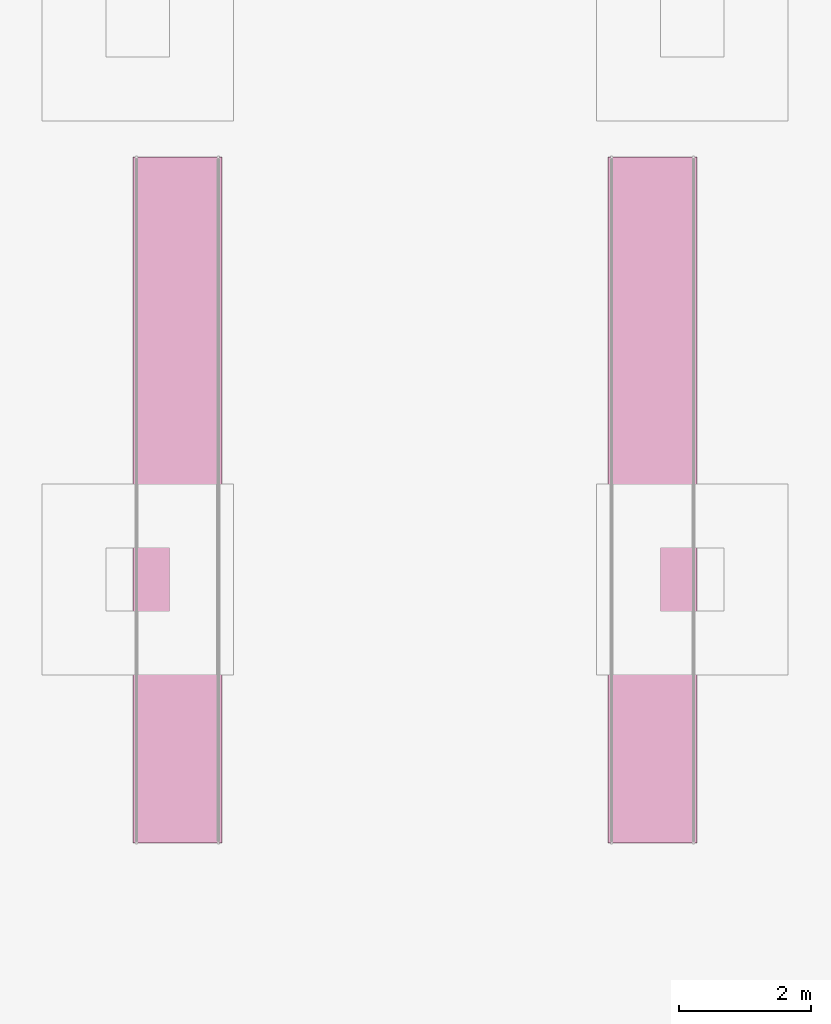
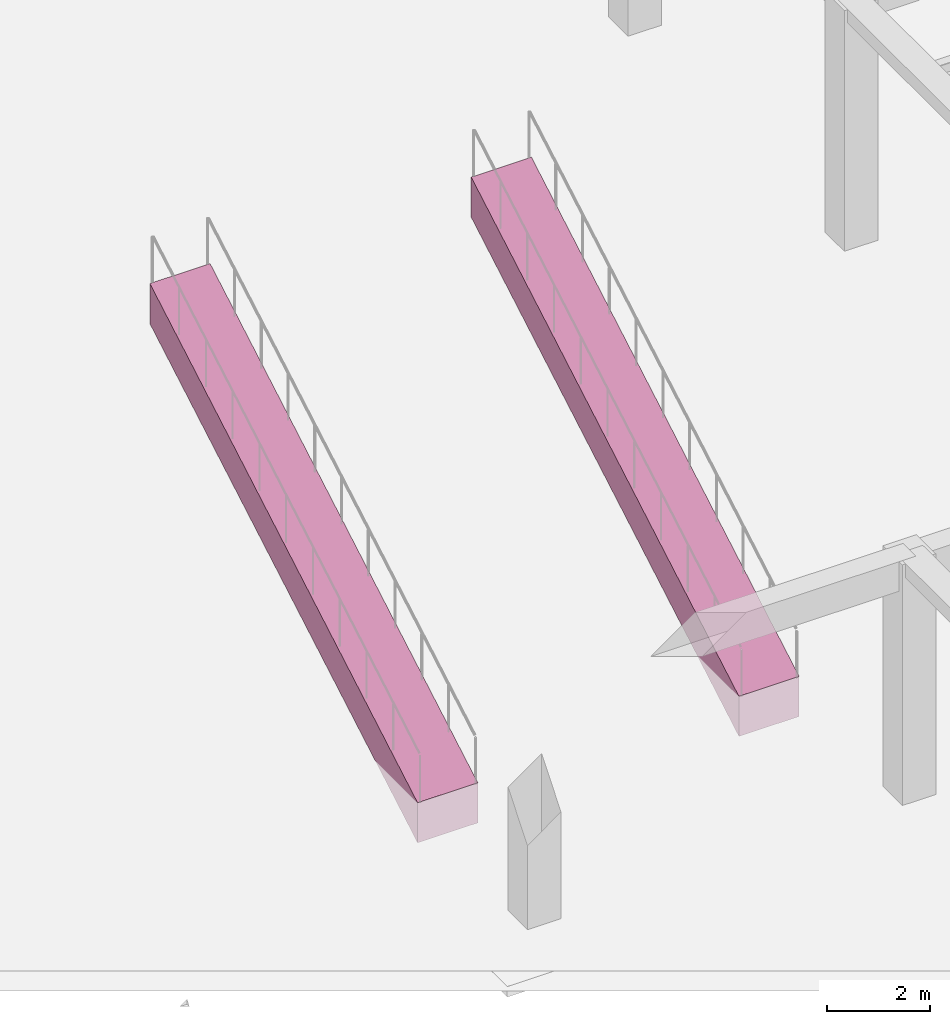
# One storey, part 43 of 43: 2 transport elements.
"""IFC4 building model written with IfcOpenShell, lengths in metres."""

import ifcopenshell
import ifcopenshell.guid

model = None  # the IFC model being written
_history = None  # IfcOwnerHistory: only IFC2X3 demands one
_inside = {}  # id of a spatial element -> (the spatial element, [elements in it])
_under = {}  # id of a project, library or spatial element -> (it, [spatial elements below it])
_declared = {}  # id of a project -> (the project, [libraries it declares])
_typed = {}  # id of a type object -> (the type object, [elements of that type])
_made_of = {}  # id of a material, layer set ... -> (it, [elements and type objects made of it])


def new_model(schema):
    """Start an empty IFC model of exactly this schema.

    Asked for "IFC4X3", IfcOpenShell would pick the latest addendum, in which some entities
    have other attributes; the version numbers below select the first issue.
    IFC2X3 requires an IfcOwnerHistory on every rooted entity: one is made here for all.
    """
    global model, _history
    if schema == "IFC4X3":
        model = ifcopenshell.file(schema_version=(4, 3, 0, 0))
    else:
        model = ifcopenshell.file(schema=schema)
    _inside.clear()
    _under.clear()
    _declared.clear()
    _typed.clear()
    _made_of.clear()
    _history = None
    if model.schema == "IFC2X3":
        org = make("IfcOrganization", Name="unknown")
        user = make(
            "IfcPersonAndOrganization",
            ThePerson=make("IfcPerson", FamilyName="unknown"),
            TheOrganization=org,
        )
        app = make(
            "IfcApplication",
            ApplicationDeveloper=org,
            Version="unknown",
            ApplicationFullName="unknown",
            ApplicationIdentifier="unknown",
        )
        _history = make(
            "IfcOwnerHistory",
            OwningUser=user,
            OwningApplication=app,
            ChangeAction="ADDED",
            CreationDate=0,
        )
    return model


def make(cls, **values):
    """One entity of the class cls with the attributes given. An attribute that is None is left unset."""
    return model.create_entity(
        cls, **{name: value for name, value in values.items() if value is not None}
    )


def rooted(cls, **values):
    """An entity with a GlobalId (a new one), such as an element, a storey or a relation."""
    return make(cls, GlobalId=ifcopenshell.guid.new(), OwnerHistory=_history, **values)


def si_unit(unit_type, name, prefix=None):
    """IfcSIUnit, for example si_unit("LENGTHUNIT", "METRE", prefix="MILLI")."""
    return make("IfcSIUnit", UnitType=unit_type, Prefix=prefix, Name=name)


def assignment(units):
    """IfcUnitAssignment: the units of a project."""
    return None if units is None else make("IfcUnitAssignment", Units=units)


def point(xyz):
    """IfcCartesianPoint."""
    return None if xyz is None else make("IfcCartesianPoint", Coordinates=xyz)


def direction(xyz):
    """IfcDirection."""
    return None if xyz is None else make("IfcDirection", DirectionRatios=xyz)


def frame(location, z_axis=None, x_axis=None):
    """IfcAxis2Placement3D, a coordinate frame: its origin and axes. An axis left out is left unset."""
    return make(
        "IfcAxis2Placement3D",
        Location=point(location),
        Axis=direction(z_axis),
        RefDirection=direction(x_axis),
    )


def origin():
    """The frame at (0, 0, 0) with its axes left unset."""
    return frame((0.0, 0.0, 0.0))


def place(relative_to, where):
    """IfcLocalPlacement: puts the frame where relative to a parent placement (None: the world)."""
    return make(
        "IfcLocalPlacement", PlacementRelTo=relative_to, RelativePlacement=where
    )


def context(
    kind, dimensions, precision=None, world=None, true_north=None, identifier=None
):
    """IfcGeometricRepresentationContext, for example the 3D "Model" context."""
    return make(
        "IfcGeometricRepresentationContext",
        ContextIdentifier=identifier,
        ContextType=kind,
        CoordinateSpaceDimension=dimensions,
        Precision=precision,
        WorldCoordinateSystem=world,
        TrueNorth=true_north,
    )


def subcontext(parent, identifier, kind, view, scale=None):
    """IfcGeometricRepresentationSubContext, for example "Body" below "Model"."""
    return make(
        "IfcGeometricRepresentationSubContext",
        ContextIdentifier=identifier,
        ContextType=kind,
        ParentContext=parent,
        TargetScale=scale,
        TargetView=view,
    )


def project(units=None, contexts=None):
    """IfcProject with its units and contexts."""
    return rooted(
        "IfcProject",
        Name="project",
        RepresentationContexts=contexts,
        UnitsInContext=assignment(units),
    )


def spatial(cls, under=None, at=None, **own):
    """A site, building, storey or space (cls), placed at a placement, below another one or the project."""
    s = rooted(cls, ObjectPlacement=at, **own)
    if under is not None:
        _under.setdefault(under.id(), (under, []))[1].append(s)
    return s


def polyline(points):
    """IfcPolyline through the points."""
    return make("IfcPolyline", Points=[point(p) for p in points])


def outline(outer, holes=None, kind="AREA"):
    """IfcArbitraryClosedProfileDef: a profile drawn as a closed curve; with holes, ...WithVoids."""
    if holes is None:
        return make("IfcArbitraryClosedProfileDef", ProfileType=kind, OuterCurve=outer)
    return make(
        "IfcArbitraryProfileDefWithVoids",
        ProfileType=kind,
        OuterCurve=outer,
        InnerCurves=holes,
    )


def extrude(swept, where, along, depth):
    """IfcExtrudedAreaSolid: the profile swept, set in the frame where, extruded along a direction by depth."""
    return make(
        "IfcExtrudedAreaSolid",
        SweptArea=swept,
        Position=where,
        ExtrudedDirection=direction(along),
        Depth=depth,
    )


def shape(context_of_items, identifier, shape_type, items):
    """IfcShapeRepresentation: the items that make up one representation, for example the "Body"."""
    return make(
        "IfcShapeRepresentation",
        ContextOfItems=context_of_items,
        RepresentationIdentifier=identifier,
        RepresentationType=shape_type,
        Items=items,
    )


def material(Name=None, Category=None):
    """IfcMaterial."""
    return make("IfcMaterial", Name=Name, Category=Category)


def made_of(thing, what):
    """Note that an element or type object is made of a material, layer set ...; save() writes the relation."""
    if what is not None:
        _made_of.setdefault(what.id(), (what, []))[1].append(thing)
    return thing


def type_object(cls, material=None, **own):
    """A type object (cls), such as IfcWallType, which elements share."""
    return made_of(rooted(cls, **own), material)


def element(
    cls,
    number,
    at=None,
    inside=None,
    cuts=None,
    type_object=None,
    material=None,
    context=None,
    identifier="Body",
    shape_type=None,
    held_by="IfcProductDefinitionShape",
    body=None,
    shapes=None,
    **own,
):
    """One element of the class cls, such as IfcWall. Its Tag is "e" and its number.

    at: its placement. inside: the storey or other place that contains it. cuts: it is an
    opening in that element (IfcRelVoidsElement). A single representation is given by context,
    identifier, shape_type and body (its items); several are given by shapes. held_by: the class
    of the entity that holds the representations. save() writes the other relations.
    """
    e = rooted(cls, Tag="e%d" % number, ObjectPlacement=at, **own)
    if body is not None:
        shapes = [shape(context, identifier, shape_type, body)]
    if shapes is not None:
        e.Representation = make(held_by, Representations=shapes)
    if inside is not None:
        _inside.setdefault(inside.id(), (inside, []))[1].append(e)
    if cuts is not None:
        rooted(
            "IfcRelVoidsElement", RelatingBuildingElement=cuts, RelatedOpeningElement=e
        )
    if type_object is not None:
        _typed.setdefault(type_object.id(), (type_object, []))[1].append(e)
    return made_of(e, material)


def aggregate(whole, parts):
    """IfcRelAggregates: a whole, such as a stair, and the parts it consists of."""
    return rooted("IfcRelAggregates", RelatingObject=whole, RelatedObjects=parts)


def save(model, path):
    """Write the relations noted so far, then the file.

    IfcRelAggregates (storeys below a building ...), IfcRelContainedInSpatialStructure (elements
    in a storey), IfcRelDefinesByType, IfcRelAssociatesMaterial and IfcRelDeclares: one each for
    every whole, place, type object, material and project.
    """
    for whole, parts in _under.values():
        aggregate(whole, parts)
    for where, things in _inside.values():
        rooted(
            "IfcRelContainedInSpatialStructure",
            RelatedElements=things,
            RelatingStructure=where,
        )
    for kind, things in _typed.values():
        rooted("IfcRelDefinesByType", RelatedObjects=things, RelatingType=kind)
    for what, things in _made_of.values():
        rooted("IfcRelAssociatesMaterial", RelatedObjects=things, RelatingMaterial=what)
    for by, libraries in _declared.values():
        rooted("IfcRelDeclares", RelatingContext=by, RelatedDefinitions=libraries)
    model.write(path)


model = new_model("IFC4")

# Units and contexts
model_context = context("Model", 3, precision=1e-05, world=origin(), true_north=direction((0.0, 1.0)))
body_context = subcontext(model_context, "Body", "Model", "MODEL_VIEW")
ifc_project = project(units=[si_unit("LENGTHUNIT", "METRE"), si_unit("AREAUNIT", "SQUARE_METRE"), si_unit("VOLUMEUNIT", "CUBIC_METRE"), si_unit("PLANEANGLEUNIT", "RADIAN"), si_unit("MASSUNIT", "GRAM", prefix="KILO")], contexts=[model_context])

# Site, building, storey
site_placement = place(None, origin())
site = spatial("IfcSite", under=ifc_project, at=site_placement, CompositionType="ELEMENT")
building_placement = place(site_placement, origin())
building = spatial("IfcBuilding", under=site, at=building_placement, Name="Almacenes y Pasaje Nevantli", CompositionType="ELEMENT")
storey_placement = place(building_placement, origin())
storey = spatial("IfcBuildingStorey", under=building, at=storey_placement, Name="L01", CompositionType="ELEMENT", Elevation=0.0)

# Transport elements
ifc_material = material(Name="Stainless Steel Truss Escalator Assembly", Category="steel")
transport_element_type = type_object("IfcTransportElementType", Name="TRN-ESCALATOR-1000", PredefinedType="ESCALATOR", material=ifc_material)
for number, where, z_axis, x_axis, name in (
    (1, (42.60009765625, 46.409912109375, 0.0), (0.0, 0.0, 1.0), (0.0, 1.0, 0.0), "Atrium Crisscross Escalator ESC-01 (L01 to L02)"),
    (2, (49.800048828125, 46.409912109375, 0.0), (0.0, 0.0, 1.0), (0.0, 1.0, 0.0), "Atrium Crisscross Escalator ESC-02 (L02 to L01)"),
):
    element("IfcTransportElement", number, at=place(storey_placement, frame(where, z_axis=z_axis, x_axis=x_axis)), inside=storey, type_object=transport_element_type, Name=name, PredefinedType="ESCALATOR", context=body_context, shape_type="SweptSolid", body=[
        extrude(outline(polyline([(0.0, -0.949951171875), (10.389892578125, 5.050048828125), (10.389892578125, 6.0), (0.0, 0.0), (0.0, -0.949951171875)])), frame((0.0, 0.675048828125, 0.0), z_axis=(0.0, -1.0, 0.0), x_axis=(1.0, 0.0, 0.0)), (0.0, 0.0, 1.0), 1.35009765625),
    ])

save(model, "model.ifc")
